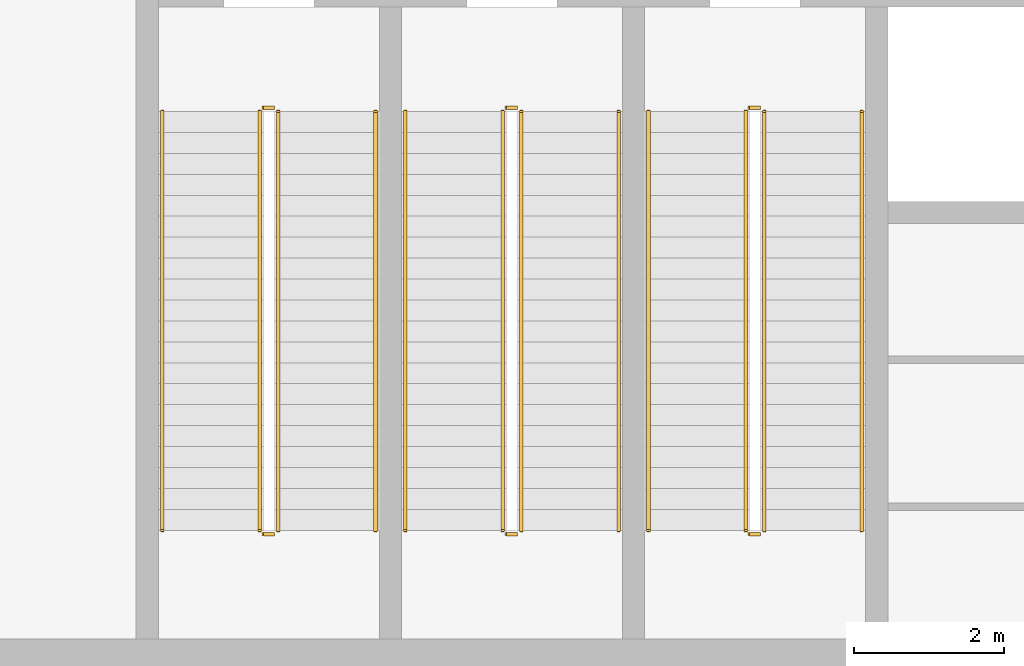
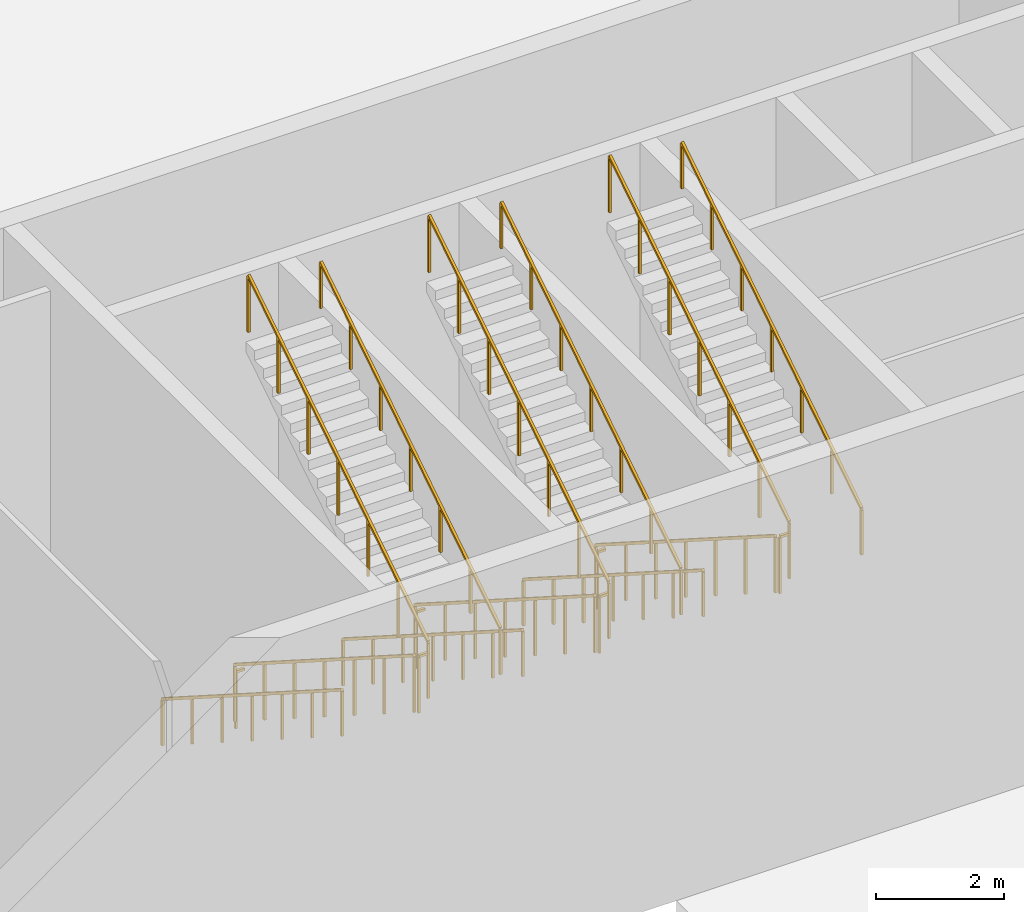
# One storey, part 55 of 79: 18 railings.
"""IFC4 building model written with IfcOpenShell, lengths in metres."""

from ifc_helpers import new_model, si_unit, direction, frame, origin, origin_2d, place, context, subcontext, project, spatial, rectangle, extrude, material, type_object, element, save


model = new_model("IFC4")

# Units and contexts
model_context = context("Model", 3, precision=1e-05, world=origin(), true_north=direction((0.0, 1.0)))
body_context = subcontext(model_context, "Body", "Model", "MODEL_VIEW")
ifc_project = project(units=[si_unit("LENGTHUNIT", "METRE"), si_unit("AREAUNIT", "SQUARE_METRE"), si_unit("VOLUMEUNIT", "CUBIC_METRE"), si_unit("PLANEANGLEUNIT", "RADIAN"), si_unit("MASSUNIT", "GRAM", prefix="KILO")], contexts=[model_context])

# Site, building, storey
site_placement = place(None, origin())
site = spatial("IfcSite", under=ifc_project, at=site_placement, CompositionType="ELEMENT")
building_placement = place(site_placement, origin())
building = spatial("IfcBuilding", under=site, at=building_placement, Name="Noorbagh Ring Tower", CompositionType="ELEMENT")
storey_placement = place(building_placement, origin())
storey = spatial("IfcBuildingStorey", under=building, at=storey_placement, Name="L00", CompositionType="ELEMENT", Elevation=0.0)

# Railings
ifc_material_1 = material(Name="Stainless steel", Category="steel")
railing_type_1 = type_object("IfcRailingType", Name="TH-STAIR-GUARD", PredefinedType="GUARDRAIL", material=ifc_material_1)
railing_1_placement = place(storey_placement, frame((-123.5, 26.25, 0.178466796875)))
element("IfcRailing", 1, at=railing_1_placement, inside=storey, type_object=railing_type_1, Name="L00 TSN1 stair guard 1", PredefinedType="GUARDRAIL", context=body_context, shape_type="SweptSolid", body=[
    extrude(rectangle(XDim=0.048095703125, YDim=0.048095703125, at=origin_2d()), frame((0.0, 0.0, 1.076171875), z_axis=(0.0, -0.843126799516, 0.537714794233), x_axis=(1.0, 0.0, 0.0)), (0.0, 0.0, 1.0), 6.64208984375),
    extrude(rectangle(XDim=0.0419921875, YDim=0.0419921875, at=origin_2d()), origin(), (0.0, 0.0, 1.0), 1.052001953125),
    extrude(rectangle(XDim=0.0419921875, YDim=0.0419921875, at=origin_2d()), frame((0.0, -0.933349609375, 0.59521484375)), (0.0, 0.0, 1.0), 1.052001953125),
    extrude(rectangle(XDim=0.0419921875, YDim=0.0419921875, at=origin_2d()), frame((0.0, -1.86669921875, 1.1904296875)), (0.0, 0.0, 1.0), 1.052001953125),
    extrude(rectangle(XDim=0.0419921875, YDim=0.0419921875, at=origin_2d()), frame((0.0, -2.800048828125, 1.78564453125)), (0.0, 0.0, 1.0), 1.052001953125),
    extrude(rectangle(XDim=0.0419921875, YDim=0.0419921875, at=origin_2d()), frame((0.0, -3.7333984375, 2.381103515625)), (0.0, 0.0, 1.0), 1.052001953125),
    extrude(rectangle(XDim=0.0419921875, YDim=0.0419921875, at=origin_2d()), frame((0.0, -4.666748046875, 2.976318359375)), (0.0, 0.0, 1.0), 1.052001953125),
    extrude(rectangle(XDim=0.0419921875, YDim=0.0419921875, at=origin_2d()), frame((0.0, -5.60009765625, 3.571533203125)), (0.0, 0.0, 1.0), 1.052001953125),
])
railing_2_placement = place(storey_placement, frame((-123.449951171875, 20.60009765625, 3.75)))
element("IfcRailing", 2, at=railing_2_placement, inside=storey, type_object=railing_type_1, Name="L00 TSN1 stair guard 2", PredefinedType="GUARDRAIL", context=body_context, shape_type="SweptSolid", body=[
    extrude(rectangle(XDim=0.048095703125, YDim=0.048095703125, at=origin_2d()), frame((0.0, 0.0, 1.076171875), z_axis=(1.0, 0.0, 0.0), x_axis=(0.0, 1.0, 0.0)), (0.0, 0.0, 1.0), 0.14990234375),
    extrude(rectangle(XDim=0.0419921875, YDim=0.0419921875, at=origin_2d()), origin(), (0.0, 0.0, 1.0), 1.052001953125),
])
railing_3_placement = place(storey_placement, frame((-123.25, 20.64990234375, 3.928466796875)))
element("IfcRailing", 3, at=railing_3_placement, inside=storey, type_object=railing_type_1, Name="L00 TSN1 stair guard 3", PredefinedType="GUARDRAIL", context=body_context, shape_type="SweptSolid", body=[
    extrude(rectangle(XDim=0.048095703125, YDim=0.048095703125, at=origin_2d()), frame((0.0, 0.0, 1.076171875), z_axis=(0.0, 0.843126799516, 0.537714794233), x_axis=(-1.0, 0.0, 0.0)), (0.0, 0.0, 1.0), 6.64208984375),
    extrude(rectangle(XDim=0.0419921875, YDim=0.0419921875, at=origin_2d()), origin(), (0.0, 0.0, 1.0), 1.052001953125),
    extrude(rectangle(XDim=0.0419921875, YDim=0.0419921875, at=origin_2d()), frame((0.0, 0.933349609375, 0.59521484375)), (0.0, 0.0, 1.0), 1.052001953125),
    extrude(rectangle(XDim=0.0419921875, YDim=0.0419921875, at=origin_2d()), frame((0.0, 1.86669921875, 1.1904296875)), (0.0, 0.0, 1.0), 1.052001953125),
    extrude(rectangle(XDim=0.0419921875, YDim=0.0419921875, at=origin_2d()), frame((0.0, 2.800048828125, 1.78564453125)), (0.0, 0.0, 1.0), 1.052001953125),
    extrude(rectangle(XDim=0.0419921875, YDim=0.0419921875, at=origin_2d()), frame((0.0, 3.7333984375, 2.381103515625)), (0.0, 0.0, 1.0), 1.052001953125),
    extrude(rectangle(XDim=0.0419921875, YDim=0.0419921875, at=origin_2d()), frame((0.0, 4.666748046875, 2.976318359375)), (0.0, 0.0, 1.0), 1.052001953125),
    extrude(rectangle(XDim=0.0419921875, YDim=0.0419921875, at=origin_2d()), frame((0.0, 5.60009765625, 3.571533203125)), (0.0, 0.0, 1.0), 1.052001953125),
])
railing_4_placement = place(storey_placement, frame((-123.449951171875, 26.300048828125, 0.0)))
element("IfcRailing", 4, at=railing_4_placement, inside=storey, type_object=railing_type_1, Name="L00 TSN1 stair guard 4", PredefinedType="GUARDRAIL", context=body_context, shape_type="SweptSolid", body=[
    extrude(rectangle(XDim=0.048095703125, YDim=0.048095703125, at=origin_2d()), frame((0.0, 0.0, 1.076171875), z_axis=(1.0, 0.0, 0.0), x_axis=(0.0, 1.0, 0.0)), (0.0, 0.0, 1.0), 0.14990234375),
    extrude(rectangle(XDim=0.0419921875, YDim=0.0419921875, at=origin_2d()), origin(), (0.0, 0.0, 1.0), 1.052001953125),
])
railing_5_placement = place(storey_placement, frame((-120.25, 26.25, 0.178466796875)))
element("IfcRailing", 5, at=railing_5_placement, inside=storey, type_object=railing_type_1, Name="L00 TSN2 stair guard 1", PredefinedType="GUARDRAIL", context=body_context, shape_type="SweptSolid", body=[
    extrude(rectangle(XDim=0.048095703125, YDim=0.048095703125, at=origin_2d()), frame((0.0, 0.0, 1.076171875), z_axis=(0.0, -0.843126799516, 0.537714794233), x_axis=(1.0, 0.0, 0.0)), (0.0, 0.0, 1.0), 6.64208984375),
    extrude(rectangle(XDim=0.0419921875, YDim=0.0419921875, at=origin_2d()), origin(), (0.0, 0.0, 1.0), 1.052001953125),
    extrude(rectangle(XDim=0.0419921875, YDim=0.0419921875, at=origin_2d()), frame((0.0, -0.933349609375, 0.59521484375)), (0.0, 0.0, 1.0), 1.052001953125),
    extrude(rectangle(XDim=0.0419921875, YDim=0.0419921875, at=origin_2d()), frame((0.0, -1.86669921875, 1.1904296875)), (0.0, 0.0, 1.0), 1.052001953125),
    extrude(rectangle(XDim=0.0419921875, YDim=0.0419921875, at=origin_2d()), frame((0.0, -2.800048828125, 1.78564453125)), (0.0, 0.0, 1.0), 1.052001953125),
    extrude(rectangle(XDim=0.0419921875, YDim=0.0419921875, at=origin_2d()), frame((0.0, -3.7333984375, 2.381103515625)), (0.0, 0.0, 1.0), 1.052001953125),
    extrude(rectangle(XDim=0.0419921875, YDim=0.0419921875, at=origin_2d()), frame((0.0, -4.666748046875, 2.976318359375)), (0.0, 0.0, 1.0), 1.052001953125),
    extrude(rectangle(XDim=0.0419921875, YDim=0.0419921875, at=origin_2d()), frame((0.0, -5.60009765625, 3.571533203125)), (0.0, 0.0, 1.0), 1.052001953125),
])
railing_6_placement = place(storey_placement, frame((-120.199951171875, 20.60009765625, 3.75)))
element("IfcRailing", 6, at=railing_6_placement, inside=storey, type_object=railing_type_1, Name="L00 TSN2 stair guard 2", PredefinedType="GUARDRAIL", context=body_context, shape_type="SweptSolid", body=[
    extrude(rectangle(XDim=0.048095703125, YDim=0.048095703125, at=origin_2d()), frame((0.0, 0.0, 1.076171875), z_axis=(1.0, 0.0, 0.0), x_axis=(0.0, 1.0, 0.0)), (0.0, 0.0, 1.0), 0.14990234375),
    extrude(rectangle(XDim=0.0419921875, YDim=0.0419921875, at=origin_2d()), origin(), (0.0, 0.0, 1.0), 1.052001953125),
])
railing_7_placement = place(storey_placement, frame((-120.0, 20.64990234375, 3.928466796875)))
element("IfcRailing", 7, at=railing_7_placement, inside=storey, type_object=railing_type_1, Name="L00 TSN2 stair guard 3", PredefinedType="GUARDRAIL", context=body_context, shape_type="SweptSolid", body=[
    extrude(rectangle(XDim=0.048095703125, YDim=0.048095703125, at=origin_2d()), frame((0.0, 0.0, 1.076171875), z_axis=(0.0, 0.843126799516, 0.537714794233), x_axis=(-1.0, 0.0, 0.0)), (0.0, 0.0, 1.0), 6.64208984375),
    extrude(rectangle(XDim=0.0419921875, YDim=0.0419921875, at=origin_2d()), origin(), (0.0, 0.0, 1.0), 1.052001953125),
    extrude(rectangle(XDim=0.0419921875, YDim=0.0419921875, at=origin_2d()), frame((0.0, 0.933349609375, 0.59521484375)), (0.0, 0.0, 1.0), 1.052001953125),
    extrude(rectangle(XDim=0.0419921875, YDim=0.0419921875, at=origin_2d()), frame((0.0, 1.86669921875, 1.1904296875)), (0.0, 0.0, 1.0), 1.052001953125),
    extrude(rectangle(XDim=0.0419921875, YDim=0.0419921875, at=origin_2d()), frame((0.0, 2.800048828125, 1.78564453125)), (0.0, 0.0, 1.0), 1.052001953125),
    extrude(rectangle(XDim=0.0419921875, YDim=0.0419921875, at=origin_2d()), frame((0.0, 3.7333984375, 2.381103515625)), (0.0, 0.0, 1.0), 1.052001953125),
    extrude(rectangle(XDim=0.0419921875, YDim=0.0419921875, at=origin_2d()), frame((0.0, 4.666748046875, 2.976318359375)), (0.0, 0.0, 1.0), 1.052001953125),
    extrude(rectangle(XDim=0.0419921875, YDim=0.0419921875, at=origin_2d()), frame((0.0, 5.60009765625, 3.571533203125)), (0.0, 0.0, 1.0), 1.052001953125),
])
railing_8_placement = place(storey_placement, frame((-120.199951171875, 26.300048828125, 0.0)))
element("IfcRailing", 8, at=railing_8_placement, inside=storey, type_object=railing_type_1, Name="L00 TSN2 stair guard 4", PredefinedType="GUARDRAIL", context=body_context, shape_type="SweptSolid", body=[
    extrude(rectangle(XDim=0.048095703125, YDim=0.048095703125, at=origin_2d()), frame((0.0, 0.0, 1.076171875), z_axis=(1.0, 0.0, 0.0), x_axis=(0.0, 1.0, 0.0)), (0.0, 0.0, 1.0), 0.14990234375),
    extrude(rectangle(XDim=0.0419921875, YDim=0.0419921875, at=origin_2d()), origin(), (0.0, 0.0, 1.0), 1.052001953125),
])
railing_9_placement = place(storey_placement, frame((-126.75, 26.25, 0.178466796875)))
element("IfcRailing", 9, at=railing_9_placement, inside=storey, type_object=railing_type_1, Name="L00 TSN3 stair guard 1", PredefinedType="GUARDRAIL", context=body_context, shape_type="SweptSolid", body=[
    extrude(rectangle(XDim=0.048095703125, YDim=0.048095703125, at=origin_2d()), frame((0.0, 0.0, 1.076171875), z_axis=(0.0, -0.843126799516, 0.537714794233), x_axis=(1.0, 0.0, 0.0)), (0.0, 0.0, 1.0), 6.64208984375),
    extrude(rectangle(XDim=0.0419921875, YDim=0.0419921875, at=origin_2d()), origin(), (0.0, 0.0, 1.0), 1.052001953125),
    extrude(rectangle(XDim=0.0419921875, YDim=0.0419921875, at=origin_2d()), frame((0.0, -0.933349609375, 0.59521484375)), (0.0, 0.0, 1.0), 1.052001953125),
    extrude(rectangle(XDim=0.0419921875, YDim=0.0419921875, at=origin_2d()), frame((0.0, -1.86669921875, 1.1904296875)), (0.0, 0.0, 1.0), 1.052001953125),
    extrude(rectangle(XDim=0.0419921875, YDim=0.0419921875, at=origin_2d()), frame((0.0, -2.800048828125, 1.78564453125)), (0.0, 0.0, 1.0), 1.052001953125),
    extrude(rectangle(XDim=0.0419921875, YDim=0.0419921875, at=origin_2d()), frame((0.0, -3.7333984375, 2.381103515625)), (0.0, 0.0, 1.0), 1.052001953125),
    extrude(rectangle(XDim=0.0419921875, YDim=0.0419921875, at=origin_2d()), frame((0.0, -4.666748046875, 2.976318359375)), (0.0, 0.0, 1.0), 1.052001953125),
    extrude(rectangle(XDim=0.0419921875, YDim=0.0419921875, at=origin_2d()), frame((0.0, -5.60009765625, 3.571533203125)), (0.0, 0.0, 1.0), 1.052001953125),
])
railing_10_placement = place(storey_placement, frame((-126.699951171875, 20.60009765625, 3.75)))
element("IfcRailing", 10, at=railing_10_placement, inside=storey, type_object=railing_type_1, Name="L00 TSN3 stair guard 2", PredefinedType="GUARDRAIL", context=body_context, shape_type="SweptSolid", body=[
    extrude(rectangle(XDim=0.048095703125, YDim=0.048095703125, at=origin_2d()), frame((0.0, 0.0, 1.076171875), z_axis=(1.0, 0.0, 0.0), x_axis=(0.0, 1.0, 0.0)), (0.0, 0.0, 1.0), 0.14990234375),
    extrude(rectangle(XDim=0.0419921875, YDim=0.0419921875, at=origin_2d()), origin(), (0.0, 0.0, 1.0), 1.052001953125),
])
railing_11_placement = place(storey_placement, frame((-126.5, 20.64990234375, 3.928466796875)))
element("IfcRailing", 11, at=railing_11_placement, inside=storey, type_object=railing_type_1, Name="L00 TSN3 stair guard 3", PredefinedType="GUARDRAIL", context=body_context, shape_type="SweptSolid", body=[
    extrude(rectangle(XDim=0.048095703125, YDim=0.048095703125, at=origin_2d()), frame((0.0, 0.0, 1.076171875), z_axis=(0.0, 0.843126799516, 0.537714794233), x_axis=(-1.0, 0.0, 0.0)), (0.0, 0.0, 1.0), 6.64208984375),
    extrude(rectangle(XDim=0.0419921875, YDim=0.0419921875, at=origin_2d()), origin(), (0.0, 0.0, 1.0), 1.052001953125),
    extrude(rectangle(XDim=0.0419921875, YDim=0.0419921875, at=origin_2d()), frame((0.0, 0.933349609375, 0.59521484375)), (0.0, 0.0, 1.0), 1.052001953125),
    extrude(rectangle(XDim=0.0419921875, YDim=0.0419921875, at=origin_2d()), frame((0.0, 1.86669921875, 1.1904296875)), (0.0, 0.0, 1.0), 1.052001953125),
    extrude(rectangle(XDim=0.0419921875, YDim=0.0419921875, at=origin_2d()), frame((0.0, 2.800048828125, 1.78564453125)), (0.0, 0.0, 1.0), 1.052001953125),
    extrude(rectangle(XDim=0.0419921875, YDim=0.0419921875, at=origin_2d()), frame((0.0, 3.7333984375, 2.381103515625)), (0.0, 0.0, 1.0), 1.052001953125),
    extrude(rectangle(XDim=0.0419921875, YDim=0.0419921875, at=origin_2d()), frame((0.0, 4.666748046875, 2.976318359375)), (0.0, 0.0, 1.0), 1.052001953125),
    extrude(rectangle(XDim=0.0419921875, YDim=0.0419921875, at=origin_2d()), frame((0.0, 5.60009765625, 3.571533203125)), (0.0, 0.0, 1.0), 1.052001953125),
])
railing_12_placement = place(storey_placement, frame((-126.699951171875, 26.300048828125, 0.0)))
element("IfcRailing", 12, at=railing_12_placement, inside=storey, type_object=railing_type_1, Name="L00 TSN3 stair guard 4", PredefinedType="GUARDRAIL", context=body_context, shape_type="SweptSolid", body=[
    extrude(rectangle(XDim=0.048095703125, YDim=0.048095703125, at=origin_2d()), frame((0.0, 0.0, 1.076171875), z_axis=(1.0, 0.0, 0.0), x_axis=(0.0, 1.0, 0.0)), (0.0, 0.0, 1.0), 0.14990234375),
    extrude(rectangle(XDim=0.0419921875, YDim=0.0419921875, at=origin_2d()), origin(), (0.0, 0.0, 1.0), 1.052001953125),
])
ifc_material_2 = material(Name="Stainless steel", Category="steel")
railing_type_2 = type_object("IfcRailingType", Name="TH-STAIR-HANDRAIL", PredefinedType="HANDRAIL", material=ifc_material_2)
railing_13_placement = place(storey_placement, frame((-124.800048828125, 26.25, 0.178466796875)))
element("IfcRailing", 13, at=railing_13_placement, inside=storey, type_object=railing_type_2, Name="L00 TSN1 stair handrail 1", PredefinedType="HANDRAIL", context=body_context, shape_type="SweptSolid", body=[
    extrude(rectangle(XDim=0.048095703125, YDim=0.048095703125, at=origin_2d()), frame((0.0, 0.0, 0.8759765625), z_axis=(0.0, -0.843126799516, 0.537714794233), x_axis=(1.0, 0.0, 0.0)), (0.0, 0.0, 1.0), 6.64208984375),
    extrude(rectangle(XDim=0.0419921875, YDim=0.0419921875, at=origin_2d()), origin(), (0.0, 0.0, 1.0), 0.851806640625),
    extrude(rectangle(XDim=0.0419921875, YDim=0.0419921875, at=origin_2d()), frame((0.0, -0.933349609375, 0.59521484375)), (0.0, 0.0, 1.0), 0.851806640625),
    extrude(rectangle(XDim=0.0419921875, YDim=0.0419921875, at=origin_2d()), frame((0.0, -1.86669921875, 1.1904296875)), (0.0, 0.0, 1.0), 0.851806640625),
    extrude(rectangle(XDim=0.0419921875, YDim=0.0419921875, at=origin_2d()), frame((0.0, -2.800048828125, 1.78564453125)), (0.0, 0.0, 1.0), 0.851806640625),
    extrude(rectangle(XDim=0.0419921875, YDim=0.0419921875, at=origin_2d()), frame((0.0, -3.7333984375, 2.381103515625)), (0.0, 0.0, 1.0), 0.851806640625),
    extrude(rectangle(XDim=0.0419921875, YDim=0.0419921875, at=origin_2d()), frame((0.0, -4.666748046875, 2.976318359375)), (0.0, 0.0, 1.0), 0.851806640625),
    extrude(rectangle(XDim=0.0419921875, YDim=0.0419921875, at=origin_2d()), frame((0.0, -5.60009765625, 3.571533203125)), (0.0, 0.0, 1.0), 0.851806640625),
])
railing_14_placement = place(storey_placement, frame((-121.949951171875, 20.64990234375, 3.928466796875)))
element("IfcRailing", 14, at=railing_14_placement, inside=storey, type_object=railing_type_2, Name="L00 TSN1 stair handrail 2", PredefinedType="HANDRAIL", context=body_context, shape_type="SweptSolid", body=[
    extrude(rectangle(XDim=0.048095703125, YDim=0.048095703125, at=origin_2d()), frame((0.0, 0.0, 0.8759765625), z_axis=(0.0, 0.843126799516, 0.537714794233), x_axis=(-1.0, 0.0, 0.0)), (0.0, 0.0, 1.0), 6.64208984375),
    extrude(rectangle(XDim=0.0419921875, YDim=0.0419921875, at=origin_2d()), origin(), (0.0, 0.0, 1.0), 0.851806640625),
    extrude(rectangle(XDim=0.0419921875, YDim=0.0419921875, at=origin_2d()), frame((0.0, 0.933349609375, 0.59521484375)), (0.0, 0.0, 1.0), 0.851806640625),
    extrude(rectangle(XDim=0.0419921875, YDim=0.0419921875, at=origin_2d()), frame((0.0, 1.86669921875, 1.1904296875)), (0.0, 0.0, 1.0), 0.851806640625),
    extrude(rectangle(XDim=0.0419921875, YDim=0.0419921875, at=origin_2d()), frame((0.0, 2.800048828125, 1.78564453125)), (0.0, 0.0, 1.0), 0.851806640625),
    extrude(rectangle(XDim=0.0419921875, YDim=0.0419921875, at=origin_2d()), frame((0.0, 3.7333984375, 2.381103515625)), (0.0, 0.0, 1.0), 0.851806640625),
    extrude(rectangle(XDim=0.0419921875, YDim=0.0419921875, at=origin_2d()), frame((0.0, 4.666748046875, 2.976318359375)), (0.0, 0.0, 1.0), 0.851806640625),
    extrude(rectangle(XDim=0.0419921875, YDim=0.0419921875, at=origin_2d()), frame((0.0, 5.60009765625, 3.571533203125)), (0.0, 0.0, 1.0), 0.851806640625),
])
railing_15_placement = place(storey_placement, frame((-121.550048828125, 26.25, 0.178466796875)))
element("IfcRailing", 15, at=railing_15_placement, inside=storey, type_object=railing_type_2, Name="L00 TSN2 stair handrail 1", PredefinedType="HANDRAIL", context=body_context, shape_type="SweptSolid", body=[
    extrude(rectangle(XDim=0.048095703125, YDim=0.048095703125, at=origin_2d()), frame((0.0, 0.0, 0.8759765625), z_axis=(0.0, -0.843126799516, 0.537714794233), x_axis=(1.0, 0.0, 0.0)), (0.0, 0.0, 1.0), 6.64208984375),
    extrude(rectangle(XDim=0.0419921875, YDim=0.0419921875, at=origin_2d()), origin(), (0.0, 0.0, 1.0), 0.851806640625),
    extrude(rectangle(XDim=0.0419921875, YDim=0.0419921875, at=origin_2d()), frame((0.0, -0.933349609375, 0.59521484375)), (0.0, 0.0, 1.0), 0.851806640625),
    extrude(rectangle(XDim=0.0419921875, YDim=0.0419921875, at=origin_2d()), frame((0.0, -1.86669921875, 1.1904296875)), (0.0, 0.0, 1.0), 0.851806640625),
    extrude(rectangle(XDim=0.0419921875, YDim=0.0419921875, at=origin_2d()), frame((0.0, -2.800048828125, 1.78564453125)), (0.0, 0.0, 1.0), 0.851806640625),
    extrude(rectangle(XDim=0.0419921875, YDim=0.0419921875, at=origin_2d()), frame((0.0, -3.7333984375, 2.381103515625)), (0.0, 0.0, 1.0), 0.851806640625),
    extrude(rectangle(XDim=0.0419921875, YDim=0.0419921875, at=origin_2d()), frame((0.0, -4.666748046875, 2.976318359375)), (0.0, 0.0, 1.0), 0.851806640625),
    extrude(rectangle(XDim=0.0419921875, YDim=0.0419921875, at=origin_2d()), frame((0.0, -5.60009765625, 3.571533203125)), (0.0, 0.0, 1.0), 0.851806640625),
])
railing_16_placement = place(storey_placement, frame((-118.699951171875, 20.64990234375, 3.928466796875)))
element("IfcRailing", 16, at=railing_16_placement, inside=storey, type_object=railing_type_2, Name="L00 TSN2 stair handrail 2", PredefinedType="HANDRAIL", context=body_context, shape_type="SweptSolid", body=[
    extrude(rectangle(XDim=0.048095703125, YDim=0.048095703125, at=origin_2d()), frame((0.0, 0.0, 0.8759765625), z_axis=(0.0, 0.843126799516, 0.537714794233), x_axis=(-1.0, 0.0, 0.0)), (0.0, 0.0, 1.0), 6.64208984375),
    extrude(rectangle(XDim=0.0419921875, YDim=0.0419921875, at=origin_2d()), origin(), (0.0, 0.0, 1.0), 0.851806640625),
    extrude(rectangle(XDim=0.0419921875, YDim=0.0419921875, at=origin_2d()), frame((0.0, 0.933349609375, 0.59521484375)), (0.0, 0.0, 1.0), 0.851806640625),
    extrude(rectangle(XDim=0.0419921875, YDim=0.0419921875, at=origin_2d()), frame((0.0, 1.86669921875, 1.1904296875)), (0.0, 0.0, 1.0), 0.851806640625),
    extrude(rectangle(XDim=0.0419921875, YDim=0.0419921875, at=origin_2d()), frame((0.0, 2.800048828125, 1.78564453125)), (0.0, 0.0, 1.0), 0.851806640625),
    extrude(rectangle(XDim=0.0419921875, YDim=0.0419921875, at=origin_2d()), frame((0.0, 3.7333984375, 2.381103515625)), (0.0, 0.0, 1.0), 0.851806640625),
    extrude(rectangle(XDim=0.0419921875, YDim=0.0419921875, at=origin_2d()), frame((0.0, 4.666748046875, 2.976318359375)), (0.0, 0.0, 1.0), 0.851806640625),
    extrude(rectangle(XDim=0.0419921875, YDim=0.0419921875, at=origin_2d()), frame((0.0, 5.60009765625, 3.571533203125)), (0.0, 0.0, 1.0), 0.851806640625),
])
railing_17_placement = place(storey_placement, frame((-128.050048828125, 26.25, 0.178466796875)))
element("IfcRailing", 17, at=railing_17_placement, inside=storey, type_object=railing_type_2, Name="L00 TSN3 stair handrail 1", PredefinedType="HANDRAIL", context=body_context, shape_type="SweptSolid", body=[
    extrude(rectangle(XDim=0.048095703125, YDim=0.048095703125, at=origin_2d()), frame((0.0, 0.0, 0.8759765625), z_axis=(0.0, -0.843126799516, 0.537714794233), x_axis=(1.0, 0.0, 0.0)), (0.0, 0.0, 1.0), 6.64208984375),
    extrude(rectangle(XDim=0.0419921875, YDim=0.0419921875, at=origin_2d()), origin(), (0.0, 0.0, 1.0), 0.851806640625),
    extrude(rectangle(XDim=0.0419921875, YDim=0.0419921875, at=origin_2d()), frame((0.0, -0.933349609375, 0.59521484375)), (0.0, 0.0, 1.0), 0.851806640625),
    extrude(rectangle(XDim=0.0419921875, YDim=0.0419921875, at=origin_2d()), frame((0.0, -1.86669921875, 1.1904296875)), (0.0, 0.0, 1.0), 0.851806640625),
    extrude(rectangle(XDim=0.0419921875, YDim=0.0419921875, at=origin_2d()), frame((0.0, -2.800048828125, 1.78564453125)), (0.0, 0.0, 1.0), 0.851806640625),
    extrude(rectangle(XDim=0.0419921875, YDim=0.0419921875, at=origin_2d()), frame((0.0, -3.7333984375, 2.381103515625)), (0.0, 0.0, 1.0), 0.851806640625),
    extrude(rectangle(XDim=0.0419921875, YDim=0.0419921875, at=origin_2d()), frame((0.0, -4.666748046875, 2.976318359375)), (0.0, 0.0, 1.0), 0.851806640625),
    extrude(rectangle(XDim=0.0419921875, YDim=0.0419921875, at=origin_2d()), frame((0.0, -5.60009765625, 3.571533203125)), (0.0, 0.0, 1.0), 0.851806640625),
])
railing_18_placement = place(storey_placement, frame((-125.199951171875, 20.64990234375, 3.928466796875)))
element("IfcRailing", 18, at=railing_18_placement, inside=storey, type_object=railing_type_2, Name="L00 TSN3 stair handrail 2", PredefinedType="HANDRAIL", context=body_context, shape_type="SweptSolid", body=[
    extrude(rectangle(XDim=0.048095703125, YDim=0.048095703125, at=origin_2d()), frame((0.0, 0.0, 0.8759765625), z_axis=(0.0, 0.843126799516, 0.537714794233), x_axis=(-1.0, 0.0, 0.0)), (0.0, 0.0, 1.0), 6.64208984375),
    extrude(rectangle(XDim=0.0419921875, YDim=0.0419921875, at=origin_2d()), origin(), (0.0, 0.0, 1.0), 0.851806640625),
    extrude(rectangle(XDim=0.0419921875, YDim=0.0419921875, at=origin_2d()), frame((0.0, 0.933349609375, 0.59521484375)), (0.0, 0.0, 1.0), 0.851806640625),
    extrude(rectangle(XDim=0.0419921875, YDim=0.0419921875, at=origin_2d()), frame((0.0, 1.86669921875, 1.1904296875)), (0.0, 0.0, 1.0), 0.851806640625),
    extrude(rectangle(XDim=0.0419921875, YDim=0.0419921875, at=origin_2d()), frame((0.0, 2.800048828125, 1.78564453125)), (0.0, 0.0, 1.0), 0.851806640625),
    extrude(rectangle(XDim=0.0419921875, YDim=0.0419921875, at=origin_2d()), frame((0.0, 3.7333984375, 2.381103515625)), (0.0, 0.0, 1.0), 0.851806640625),
    extrude(rectangle(XDim=0.0419921875, YDim=0.0419921875, at=origin_2d()), frame((0.0, 4.666748046875, 2.976318359375)), (0.0, 0.0, 1.0), 0.851806640625),
    extrude(rectangle(XDim=0.0419921875, YDim=0.0419921875, at=origin_2d()), frame((0.0, 5.60009765625, 3.571533203125)), (0.0, 0.0, 1.0), 0.851806640625),
])

save(model, "model.ifc")
